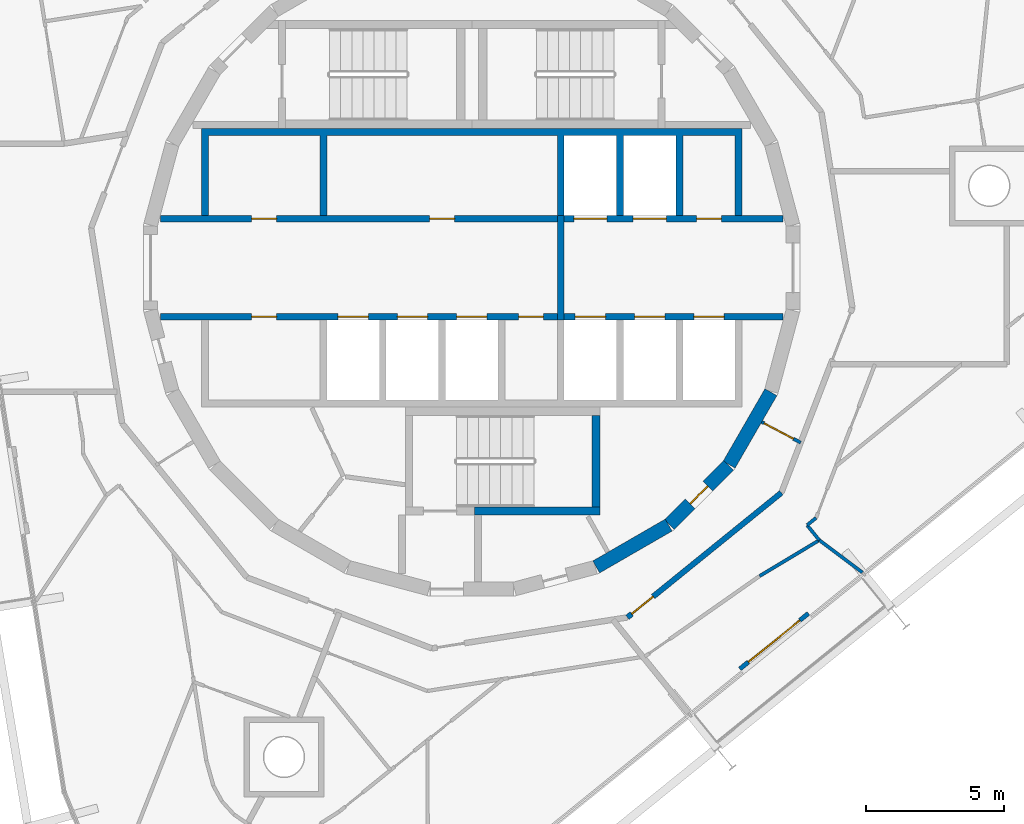
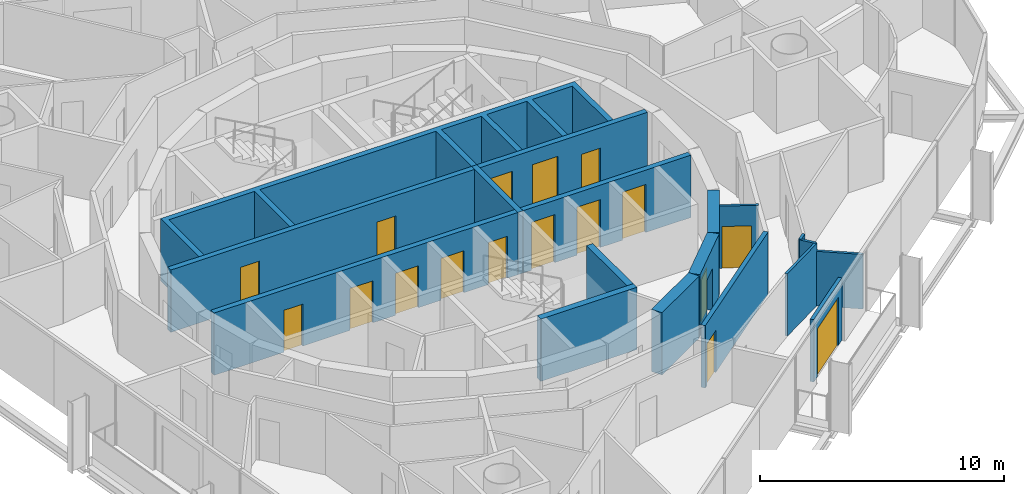
# One storey, part 13 of 18: 18 walls, 17 doors, 17 openings.
"""IFC4 building model written with IfcOpenShell, lengths in metres."""

from ifc_helpers import new_model, si_unit, direction, frame, frame_2d, origin, place, context, subcontext, project, spatial, polyline, rectangle, outline, extrude, material, layer, layer_set, type_object, element, fill, save


model = new_model("IFC4")

# Units and contexts
model_context = context("Model", 3, precision=1e-05, world=origin(), true_north=direction((0.0, 1.0)))
body_context = subcontext(model_context, "Body", "Model", "MODEL_VIEW")
ifc_project = project(units=[si_unit("LENGTHUNIT", "METRE"), si_unit("AREAUNIT", "SQUARE_METRE"), si_unit("VOLUMEUNIT", "CUBIC_METRE"), si_unit("PLANEANGLEUNIT", "RADIAN"), si_unit("MASSUNIT", "GRAM", prefix="KILO")], contexts=[model_context])

# Site, building, storey
site_placement = place(None, origin())
site = spatial("IfcSite", under=ifc_project, at=site_placement, CompositionType="ELEMENT")
building_placement = place(site_placement, origin())
building = spatial("IfcBuilding", under=site, at=building_placement, Name="Spindle Arch Residences", CompositionType="ELEMENT")
storey_placement = place(building_placement, frame((0.0, 0.0, 273.89990234375)))
storey = spatial("IfcBuildingStorey", under=building, at=storey_placement, Name="L70", CompositionType="ELEMENT", Elevation=273.89990234375)

# Wall
ifc_material_1 = material(Name="Concrete C50/60", Category="concrete")
ifc_layer_1 = layer(ifc_material_1, 0.5)
ifc_layer_set_1 = layer_set([ifc_layer_1], Name="Core outline wall 500")
wall_type_1 = type_object("IfcWallType", Name="Core outline wall 500", PredefinedType="SHEAR", material=ifc_layer_set_1)
wall_1_placement = place(storey_placement, frame((4.510498046875, -10.84521484375, 0.0), z_axis=(0.0, 0.0, 1.0), x_axis=(0.865975092491, 0.500087131594, 0.0)))
element("IfcWall", 1, at=wall_1_placement, inside=storey, type_object=wall_type_1, Name="Core outline wall 2", PredefinedType="SHEAR", context=body_context, shape_type="SweptSolid", body=[
    extrude(rectangle(XDim=3.03271484375, YDim=0.5, at=frame_2d((1.516357421875, 0.0))), origin(), (0.0, 0.0, 1.0), 3.1201171875),
])

# Wall, opening, door
wall_2_placement = place(storey_placement, frame((7.163818359375, -9.30810546875, 0.0), z_axis=(0.0, 0.0, 1.0), x_axis=(0.707106781187, 0.707106781187, 0.0)))
wall_2 = element("IfcWall", 2, at=wall_2_placement, inside=storey, type_object=wall_type_1, Name="Core outline wall 3", PredefinedType="SHEAR", context=body_context, shape_type="SweptSolid", body=[
    extrude(rectangle(XDim=3.032470703125, YDim=0.5, at=frame_2d((1.51611328125, 0.0))), origin(), (0.0, 0.0, 1.0), 3.1201171875),
])
opening_1_placement = place(wall_2_placement, frame((1.06640625, 0.0, 0.0)))
opening_1 = element("IfcOpeningElement", 3, at=opening_1_placement, cuts=wall_2, Name="Opening R7B1-WD08", PredefinedType="OPENING", context=body_context, shape_type="SweptSolid", body=[
    extrude(rectangle(XDim=0.89990234375, YDim=2.10009765625, at=frame_2d((0.449951171875, 1.050048828125))), frame((0.0, 0.260009765625, 0.0), z_axis=(0.0, -1.0, 0.0), x_axis=(1.0, 0.0, 0.0)), (0.0, 0.0, 1.0), 0.52001953125),
])
ifc_material_2 = material(Name="Steel, fire-resisting door", Category="steel")
door_type_1 = type_object("IfcDoorType", Name="Service room door 900x2100", OperationType="SINGLE_SWING_LEFT", PredefinedType="DOOR", material=ifc_material_2)
door_1_placement = place(opening_1_placement, origin())
door_1 = element("IfcDoor", 4, at=door_1_placement, inside=storey, type_object=door_type_1, Name="Service room door R7B1-WD08", OperationType="SINGLE_SWING_RIGHT", OverallHeight=2.10009765625, OverallWidth=0.89990234375, PredefinedType="DOOR", context=body_context, shape_type="SweptSolid", body=[
    extrude(rectangle(XDim=0.89990234375, YDim=2.10009765625, at=frame_2d((0.449951171875, 1.050048828125))), frame((0.0, 0.02490234375, 0.0), z_axis=(0.0, -1.0, 0.0), x_axis=(1.0, 0.0, 0.0)), (0.0, 0.0, 1.0), 0.050048828125),
])
fill(opening_1, door_1)

# Wall
wall_3_placement = place(storey_placement, frame((9.32861328125, -7.13671875, 0.0), z_axis=(0.0, 0.0, 1.0), x_axis=(0.500087131594, 0.865975092491, 0.0)))
element("IfcWall", 5, at=wall_3_placement, inside=storey, type_object=wall_type_1, Name="Core outline wall 4", PredefinedType="SHEAR", context=body_context, shape_type="SweptSolid", body=[
    extrude(rectangle(XDim=3.03271484375, YDim=0.5, at=frame_2d((1.516357421875, 0.0))), origin(), (0.0, 0.0, 1.0), 3.1201171875),
])

# Wall, opening, door
ifc_material_3 = material(Name="Plasterboard on steel studs", Category="steel")
ifc_layer_2 = layer(ifc_material_3, 0.1201171875)
ifc_layer_set_2 = layer_set([ifc_layer_2], Name="Corridor division wall 120")
wall_type_2 = type_object("IfcWallType", Name="Corridor division wall 120", PredefinedType="PARTITIONING", material=ifc_layer_set_2)
wall_4_placement = place(storey_placement, frame((10.510986328125, -5.5888671875, 0.0), z_axis=(0.0, 0.0, 1.0), x_axis=(0.882983002821, -0.469404960273, 0.0)))
wall_4 = element("IfcWall", 6, at=wall_4_placement, inside=storey, type_object=wall_type_2, Name="Corridor division wall R7B1-W002", PredefinedType="PARTITIONING", context=body_context, shape_type="SweptSolid", body=[
    extrude(rectangle(XDim=1.59619140625, YDim=0.1201171875, at=frame_2d((0.798095703125, 0.0))), origin(), (0.0, 0.0, 1.0), 3.1201171875),
])
opening_2_placement = place(wall_4_placement, frame((0.10009765625, 0.0, 0.0)))
opening_2 = element("IfcOpeningElement", 7, at=opening_2_placement, cuts=wall_4, Name="Opening R7B1-CD02", PredefinedType="OPENING", context=body_context, shape_type="SweptSolid", body=[
    extrude(rectangle(XDim=1.199951171875, YDim=2.10009765625, at=frame_2d((0.60009765625, 1.050048828125))), frame((0.0, 0.070068359375, 0.0), z_axis=(0.0, -1.0, 0.0), x_axis=(1.0, 0.0, 0.0)), (0.0, 0.0, 1.0), 0.14013671875),
])
ifc_material_4 = material(Name="Steel, fire-resisting door", Category="steel")
door_type_2 = type_object("IfcDoorType", Name="Corridor division door 1200x2100", OperationType="NOTDEFINED", PredefinedType="DOOR", material=ifc_material_4)
door_2_placement = place(opening_2_placement, origin())
door_2 = element("IfcDoor", 8, at=door_2_placement, inside=storey, type_object=door_type_2, Name="Corridor division door R7B1-CD02", OperationType="DOUBLE_DOOR_SINGLE_SWING", OverallHeight=2.10009765625, OverallWidth=1.199951171875, PredefinedType="DOOR", context=body_context, shape_type="SweptSolid", body=[
    extrude(rectangle(XDim=1.199951171875, YDim=2.10009765625, at=frame_2d((0.60009765625, 1.050048828125))), frame((0.0, 0.02490234375, 0.0), z_axis=(0.0, -1.0, 0.0), x_axis=(1.0, 0.0, 0.0)), (0.0, 0.0, 1.0), 0.050048828125),
])
fill(opening_2, door_2)

ifc_material_5 = material(Name="Calcium silicate block, plastered")
ifc_layer_3 = layer(ifc_material_5, 0.199951171875)
ifc_layer_set_3 = layer_set([ifc_layer_3], Name="Corridor wall 200")
wall_type_3 = type_object("IfcWallType", Name="Corridor wall 200", PredefinedType="STANDARD", material=ifc_layer_set_3)
wall_5_placement = place(storey_placement, frame((5.642578125, -12.67333984375, 0.0), z_axis=(0.0, 0.0, 1.0), x_axis=(0.777160148113, 0.629302871585, 0.0)))
wall_5 = element("IfcWall", 9, at=wall_5_placement, inside=storey, type_object=wall_type_3, Name="Corridor wall R7B1-W015", PredefinedType="STANDARD", context=body_context, shape_type="SweptSolid", body=[
    extrude(rectangle(XDim=7.180908203125, YDim=0.199951171875, at=frame_2d((3.59033203125, 0.0))), origin(), (0.0, 0.0, 1.0), 3.1201171875),
])
opening_3_placement = place(wall_5_placement, frame((0.199951171875, 0.0, 0.0)))
opening_3 = element("IfcOpeningElement", 10, at=opening_3_placement, cuts=wall_5, Name="Opening R7B1-FD06", PredefinedType="OPENING", context=body_context, shape_type="SweptSolid", body=[
    extrude(rectangle(XDim=1.0, YDim=2.10009765625, at=frame_2d((0.5, 1.050048828125))), frame((0.0, 0.10986328125, 0.0), z_axis=(0.0, -1.0, 0.0), x_axis=(1.0, 0.0, 0.0)), (0.0, 0.0, 1.0), 0.219970703125),
])
ifc_material_6 = material(Name="Timber, fire-resisting door set", Category="wood")
door_type_3 = type_object("IfcDoorType", Name="Flat entrance door 1000x2100", OperationType="NOTDEFINED", PredefinedType="DOOR", material=ifc_material_6)
door_3_placement = place(opening_3_placement, origin())
door_3 = element("IfcDoor", 11, at=door_3_placement, inside=storey, type_object=door_type_3, Name="Flat entrance door R7B1-FD06", OperationType="SINGLE_SWING_LEFT", OverallHeight=2.10009765625, OverallWidth=1.0, PredefinedType="DOOR", context=body_context, shape_type="SweptSolid", body=[
    extrude(rectangle(XDim=1.0, YDim=2.10009765625, at=frame_2d((0.5, 1.050048828125))), frame((0.0, 0.02490234375, 0.0), z_axis=(0.0, -1.0, 0.0), x_axis=(1.0, 0.0, 0.0)), (0.0, 0.0, 1.0), 0.050048828125),
])
fill(opening_3, door_3)

# Wall, openings, doors
ifc_material_7 = material(Name="Concrete C40/50", Category="concrete")
ifc_layer_4 = layer(ifc_material_7, 0.25)
ifc_layer_set_4 = layer_set([ifc_layer_4], Name="Fire-lift lobby wall 250")
wall_type_4 = type_object("IfcWallType", Name="Fire-lift lobby wall 250", PredefinedType="SHEAR", material=ifc_layer_set_4)
wall_6_placement = place(storey_placement, frame((3.35009765625, 1.77490234375, 0.0), z_axis=(0.0, 0.0, 1.0), x_axis=(1.0, 0.0, 0.0)))
wall_6 = element("IfcWall", 12, at=wall_6_placement, inside=storey, type_object=wall_type_4, Name="Lift shaft front wall NE", PredefinedType="SHEAR", context=body_context, shape_type="SweptSolid", body=[
    extrude(rectangle(XDim=7.929931640625, YDim=0.25, at=frame_2d((3.96484375, 0.0))), origin(), (0.0, 0.0, 1.0), 3.1201171875),
])
opening_4_placement = place(wall_6_placement, frame((0.35009765625, 0.0, 0.0)))
opening_4 = element("IfcOpeningElement", 13, at=opening_4_placement, cuts=wall_6, Name="Opening R7B1-SLD01", PredefinedType="OPENING", context=body_context, shape_type="SweptSolid", body=[
    extrude(rectangle(XDim=1.199951171875, YDim=2.39990234375, at=frame_2d((0.60009765625, 1.199951171875))), frame((0.0, 0.135009765625, 0.0), z_axis=(0.0, -1.0, 0.0), x_axis=(1.0, 0.0, 0.0)), (0.0, 0.0, 1.0), 0.27001953125),
])
opening_5_placement = place(wall_6_placement, frame((2.5, 0.0, 0.0)))
opening_5 = element("IfcOpeningElement", 14, at=opening_5_placement, cuts=wall_6, Name="Opening R7B1-SLD02", PredefinedType="OPENING", context=body_context, shape_type="SweptSolid", body=[
    extrude(rectangle(XDim=1.199951171875, YDim=2.39990234375, at=frame_2d((0.60009765625, 1.199951171875))), frame((0.0, 0.135009765625, 0.0), z_axis=(0.0, -1.0, 0.0), x_axis=(1.0, 0.0, 0.0)), (0.0, 0.0, 1.0), 0.27001953125),
])
opening_6_placement = place(wall_6_placement, frame((4.800048828125, 0.0, 0.0)))
opening_6 = element("IfcOpeningElement", 15, at=opening_6_placement, cuts=wall_6, Name="Opening R7B1-WD03", PredefinedType="OPENING", context=body_context, shape_type="SweptSolid", body=[
    extrude(rectangle(XDim=0.89990234375, YDim=2.10009765625, at=frame_2d((0.449951171875, 1.050048828125))), frame((0.0, 0.135009765625, 0.0), z_axis=(0.0, -1.0, 0.0), x_axis=(1.0, 0.0, 0.0)), (0.0, 0.0, 1.0), 0.27001953125),
])
ifc_material_8 = material(Name="Steel, fire-resisting landing door", Category="steel")
door_type_4 = type_object("IfcDoorType", Name="Service lift landing door 1200x2400", OperationType="DOUBLE_DOOR_SLIDING", PredefinedType="DOOR", material=ifc_material_8)
door_4_placement = place(opening_4_placement, origin())
door_4 = element("IfcDoor", 16, at=door_4_placement, inside=storey, type_object=door_type_4, Name="Service lift landing door R7B1-SLD01", OperationType="DOUBLE_DOOR_SLIDING", OverallHeight=2.39990234375, OverallWidth=1.199951171875, PredefinedType="DOOR", context=body_context, shape_type="SweptSolid", body=[
    extrude(rectangle(XDim=1.199951171875, YDim=2.39990234375, at=frame_2d((0.60009765625, 1.199951171875))), frame((0.0, 0.02490234375, 0.0), z_axis=(0.0, -1.0, 0.0), x_axis=(1.0, 0.0, 0.0)), (0.0, 0.0, 1.0), 0.050048828125),
])
fill(opening_4, door_4)
door_5_placement = place(opening_5_placement, origin())
door_5 = element("IfcDoor", 17, at=door_5_placement, inside=storey, type_object=door_type_4, Name="Service lift landing door R7B1-SLD02", OperationType="DOUBLE_DOOR_SLIDING", OverallHeight=2.39990234375, OverallWidth=1.199951171875, PredefinedType="DOOR", context=body_context, shape_type="SweptSolid", body=[
    extrude(rectangle(XDim=1.199951171875, YDim=2.39990234375, at=frame_2d((0.60009765625, 1.199951171875))), frame((0.0, 0.02490234375, 0.0), z_axis=(0.0, -1.0, 0.0), x_axis=(1.0, 0.0, 0.0)), (0.0, 0.0, 1.0), 0.050048828125),
])
fill(opening_5, door_5)
door_6_placement = place(opening_6_placement, origin())
door_6 = element("IfcDoor", 18, at=door_6_placement, inside=storey, type_object=door_type_1, Name="Service room door R7B1-WD03", OperationType="SINGLE_SWING_LEFT", OverallHeight=2.10009765625, OverallWidth=0.89990234375, PredefinedType="DOOR", context=body_context, shape_type="SweptSolid", body=[
    extrude(rectangle(XDim=0.89990234375, YDim=2.10009765625, at=frame_2d((0.449951171875, 1.050048828125))), frame((0.0, 0.02490234375, 0.0), z_axis=(0.0, -1.0, 0.0), x_axis=(1.0, 0.0, 0.0)), (0.0, 0.0, 1.0), 0.050048828125),
])
fill(opening_6, door_6)

# Wall
wall_7_placement = place(storey_placement, frame((3.22509765625, -1.89990234375, 0.0), z_axis=(0.0, 0.0, 1.0), x_axis=(0.0, 1.0, 0.0)))
element("IfcWall", 19, at=wall_7_placement, inside=storey, type_object=wall_type_4, Name="Fire-fighting lobby partition", PredefinedType="SHEAR", context=body_context, shape_type="SweptSolid", body=[
    extrude(rectangle(XDim=3.7998046875, YDim=0.25, at=frame_2d((1.89990234375, 0.0))), origin(), (0.0, 0.0, 1.0), 3.1201171875),
])

# Wall, openings, doors
ifc_material_9 = material(Name="Concrete C50/60", Category="concrete")
ifc_layer_5 = layer(ifc_material_9, 0.25)
ifc_layer_set_5 = layer_set([ifc_layer_5], Name="Fire-lift shaft wall 250")
wall_type_5 = type_object("IfcWallType", Name="Fire-lift shaft wall 250", PredefinedType="SHEAR", material=ifc_layer_set_5)
wall_8_placement = place(storey_placement, frame((3.35009765625, -1.77490234375, 0.0), z_axis=(0.0, 0.0, 1.0), x_axis=(1.0, 0.0, 0.0)))
wall_8 = element("IfcWall", 20, at=wall_8_placement, inside=storey, type_object=wall_type_5, Name="Lift shaft front wall SE", PredefinedType="SHEAR", context=body_context, shape_type="SweptSolid", body=[
    extrude(rectangle(XDim=7.929931640625, YDim=0.25, at=frame_2d((3.96484375, 0.0))), origin(), (0.0, 0.0, 1.0), 3.1201171875),
])
opening_7_placement = place(wall_8_placement, frame((0.39990234375, 0.0, 0.0)))
opening_7 = element("IfcOpeningElement", 21, at=opening_7_placement, cuts=wall_8, Name="Opening R7B1-FLD01", PredefinedType="OPENING", context=body_context, shape_type="SweptSolid", body=[
    extrude(rectangle(XDim=1.10009765625, YDim=2.39990234375, at=frame_2d((0.550048828125, 1.199951171875))), frame((0.0, 0.135009765625, 0.0), z_axis=(0.0, -1.0, 0.0), x_axis=(1.0, 0.0, 0.0)), (0.0, 0.0, 1.0), 0.27001953125),
])
opening_8_placement = place(wall_8_placement, frame((2.550048828125, 0.0, 0.0)))
opening_8 = element("IfcOpeningElement", 22, at=opening_8_placement, cuts=wall_8, Name="Opening R7B1-FLD02", PredefinedType="OPENING", context=body_context, shape_type="SweptSolid", body=[
    extrude(rectangle(XDim=1.10009765625, YDim=2.39990234375, at=frame_2d((0.550048828125, 1.199951171875))), frame((0.0, 0.135009765625, 0.0), z_axis=(0.0, -1.0, 0.0), x_axis=(1.0, 0.0, 0.0)), (0.0, 0.0, 1.0), 0.27001953125),
])
opening_9_placement = place(wall_8_placement, frame((4.699951171875, 0.0, 0.0)))
opening_9 = element("IfcOpeningElement", 23, at=opening_9_placement, cuts=wall_8, Name="Opening R7B1-FLD03", PredefinedType="OPENING", context=body_context, shape_type="SweptSolid", body=[
    extrude(rectangle(XDim=1.10009765625, YDim=2.39990234375, at=frame_2d((0.550048828125, 1.199951171875))), frame((0.0, 0.135009765625, 0.0), z_axis=(0.0, -1.0, 0.0), x_axis=(1.0, 0.0, 0.0)), (0.0, 0.0, 1.0), 0.27001953125),
])
ifc_material_10 = material(Name="Steel, fire-resisting landing door", Category="steel")
door_type_5 = type_object("IfcDoorType", Name="Fire-fighting lift landing door 1100x2400", OperationType="DOUBLE_DOOR_SLIDING", PredefinedType="DOOR", material=ifc_material_10)
door_7_placement = place(opening_7_placement, origin())
door_7 = element("IfcDoor", 24, at=door_7_placement, inside=storey, type_object=door_type_5, Name="Fire-fighting lift landing door R7B1-FLD01", OperationType="DOUBLE_DOOR_SLIDING", OverallHeight=2.39990234375, OverallWidth=1.10009765625, PredefinedType="DOOR", context=body_context, shape_type="SweptSolid", body=[
    extrude(rectangle(XDim=1.10009765625, YDim=2.39990234375, at=frame_2d((0.550048828125, 1.199951171875))), frame((0.0, 0.02490234375, 0.0), z_axis=(0.0, -1.0, 0.0), x_axis=(1.0, 0.0, 0.0)), (0.0, 0.0, 1.0), 0.050048828125),
])
fill(opening_7, door_7)
door_8_placement = place(opening_8_placement, origin())
door_8 = element("IfcDoor", 25, at=door_8_placement, inside=storey, type_object=door_type_5, Name="Fire-fighting lift landing door R7B1-FLD02", OperationType="DOUBLE_DOOR_SLIDING", OverallHeight=2.39990234375, OverallWidth=1.10009765625, PredefinedType="DOOR", context=body_context, shape_type="SweptSolid", body=[
    extrude(rectangle(XDim=1.10009765625, YDim=2.39990234375, at=frame_2d((0.550048828125, 1.199951171875))), frame((0.0, 0.02490234375, 0.0), z_axis=(0.0, -1.0, 0.0), x_axis=(1.0, 0.0, 0.0)), (0.0, 0.0, 1.0), 0.050048828125),
])
fill(opening_8, door_8)
door_9_placement = place(opening_9_placement, origin())
door_9 = element("IfcDoor", 26, at=door_9_placement, inside=storey, type_object=door_type_5, Name="Fire-fighting lift landing door R7B1-FLD03", OperationType="DOUBLE_DOOR_SLIDING", OverallHeight=2.39990234375, OverallWidth=1.10009765625, PredefinedType="DOOR", context=body_context, shape_type="SweptSolid", body=[
    extrude(rectangle(XDim=1.10009765625, YDim=2.39990234375, at=frame_2d((0.550048828125, 1.199951171875))), frame((0.0, 0.02490234375, 0.0), z_axis=(0.0, -1.0, 0.0), x_axis=(1.0, 0.0, 0.0)), (0.0, 0.0, 1.0), 0.050048828125),
])
fill(opening_9, door_9)

# Walls
ifc_material_11 = material(Name="Plasterboard on steel studs", Category="steel")
ifc_layer_6 = layer(ifc_material_11, 0.1201171875)
ifc_layer_set_6 = layer_set([ifc_layer_6], Name="Flat partition 120")
wall_type_6 = type_object("IfcWallType", Name="Flat partition 120", PredefinedType="PARTITIONING", material=ifc_layer_set_6)
wall_9_placement = place(storey_placement, frame((10.43359375, -11.17529296875, 0.0), z_axis=(0.0, 0.0, 1.0), x_axis=(0.857117202926, 0.515121442427, 0.0)))
element("IfcWall", 27, at=wall_9_placement, inside=storey, type_object=wall_type_6, Name="Flat partition R7B1-W093", PredefinedType="PARTITIONING", context=body_context, shape_type="SweptSolid", body=[
    extrude(rectangle(XDim=2.524169921875, YDim=0.1201171875, at=frame_2d((1.26220703125, 0.0))), origin(), (0.0, 0.0, 1.0), 3.1201171875),
])
wall_10_placement = place(storey_placement, frame((12.59716796875, -9.875, 0.0), z_axis=(0.0, 0.0, 1.0), x_axis=(-0.629138198612, 0.77729346263, 0.0)))
element("IfcWall", 28, at=wall_10_placement, inside=storey, type_object=wall_type_6, Name="Flat partition R7B1-W094", PredefinedType="PARTITIONING", context=body_context, shape_type="SweptSolid", body=[
    extrude(rectangle(XDim=0.701904296875, YDim=0.1201171875, at=frame_2d((0.35107421875, 0.0))), origin(), (0.0, 0.0, 1.0), 3.1201171875),
])
wall_11_placement = place(storey_placement, frame((12.155517578125, -9.329345703125, 0.0), z_axis=(0.0, 0.0, 1.0), x_axis=(0.777026645941, 0.629467704888, 0.0)))
element("IfcWall", 29, at=wall_11_placement, inside=storey, type_object=wall_type_6, Name="Flat partition R7B1-W095", PredefinedType="PARTITIONING", context=body_context, shape_type="SweptSolid", body=[
    extrude(rectangle(XDim=0.4169921875, YDim=0.1201171875, at=frame_2d((0.20849609375, 0.0))), origin(), (0.0, 0.0, 1.0), 3.1201171875),
])
ifc_material_12 = material(Name="Plasterboard on steel studs", Category="steel")
ifc_layer_7 = layer(ifc_material_12, 0.1201171875)
ifc_layer_set_7 = layer_set([ifc_layer_7], Name="Flat partition 120 under beam 2730")
wall_type_7 = type_object("IfcWallType", Name="Flat partition 120 under beam 2730", PredefinedType="PARTITIONING", material=ifc_layer_set_7)
wall_12_placement = place(storey_placement, frame((14.161376953125, -11.04638671875, 0.0), z_axis=(0.0, 0.0, 1.0), x_axis=(-0.800434550749, 0.599420161463, 0.0)))
element("IfcWall", 30, at=wall_12_placement, inside=storey, type_object=wall_type_7, Name="Flat partition R7B1-W104", PredefinedType="PARTITIONING", context=body_context, shape_type="SweptSolid", body=[
    extrude(rectangle(XDim=1.9541015625, YDim=0.1201171875, at=frame_2d((0.97705078125, 0.0))), origin(), (0.0, 0.0, 1.0), 2.72998046875),
])

# Wall, opening, door
ifc_material_13 = material(Name="Non-combustible mineral wool insulated aluminium faced external wall (K0)", Category="aluminium")
ifc_layer_8 = layer(ifc_material_13, 0.159912109375)
ifc_layer_set_8 = layer_set([ifc_layer_8], Name="Insulated external wall panel 160")
wall_type_8 = type_object("IfcWallType", Name="Insulated external wall panel 160", PredefinedType="STANDARD", material=ifc_layer_set_8)
wall_13_placement = place(storey_placement, frame((9.71728515625, -14.542236328125, 0.0), z_axis=(0.0, 0.0, 1.0), x_axis=(0.777125818, 0.629345265333, 0.0)))
wall_13 = element("IfcWall", 31, at=wall_13_placement, inside=storey, type_object=wall_type_8, Name="External wall L70 bay 20", PredefinedType="STANDARD", context=body_context, shape_type="SweptSolid", body=[
    extrude(rectangle(XDim=3.199951171875, YDim=0.159912109375, at=frame_2d((1.60009765625, 0.0))), origin(), (0.0, 0.0, 1.0), 3.1201171875),
])
opening_10_placement = place(wall_13_placement, frame((0.39990234375, 0.0, 0.0)))
opening_10 = element("IfcOpeningElement", 32, at=opening_10_placement, cuts=wall_13, Name="Opening BD20", PredefinedType="OPENING", context=body_context, shape_type="SweptSolid", body=[
    extrude(rectangle(XDim=2.39990234375, YDim=2.39990234375, at=frame_2d((1.199951171875, 1.199951171875))), frame((0.0, 0.08984375, 0.0), z_axis=(0.0, -1.0, 0.0), x_axis=(1.0, 0.0, 0.0)), (0.0, 0.0, 1.0), 0.179931640625),
])
ifc_material_14 = material(Name="Bronze aluminium frame, tinted double glazing", Category="aluminium")
door_type_6 = type_object("IfcDoorType", Name="Sliding glazed balcony door 2400x2400", OperationType="DOUBLE_DOOR_SLIDING", PredefinedType="DOOR", material=ifc_material_14)
door_10_placement = place(opening_10_placement, origin())
door_10 = element("IfcDoor", 33, at=door_10_placement, inside=storey, type_object=door_type_6, Name="Balcony door BD20", OperationType="DOUBLE_DOOR_SLIDING", OverallHeight=2.39990234375, OverallWidth=2.39990234375, PredefinedType="DOOR", context=body_context, shape_type="SweptSolid", body=[
    extrude(rectangle(XDim=2.39990234375, YDim=2.39990234375, at=frame_2d((1.199951171875, 1.199951171875))), frame((0.0, 0.02490234375, 0.0), z_axis=(0.0, -1.0, 0.0), x_axis=(1.0, 0.0, 0.0)), (0.0, 0.0, 1.0), 0.050048828125),
])
fill(opening_10, door_10)

# Wall, openings, doors
ifc_material_15 = material(Name="Concrete C50/60", Category="concrete")
ifc_layer_9 = layer(ifc_material_15, 0.25)
ifc_layer_set_9 = layer_set([ifc_layer_9], Name="Lift shaft wall 250")
wall_type_9 = type_object("IfcWallType", Name="Lift shaft wall 250", PredefinedType="SHEAR", material=ifc_layer_set_9)
wall_14_placement = place(storey_placement, frame((-11.280029296875, 1.77490234375, 0.0), z_axis=(0.0, 0.0, 1.0), x_axis=(1.0, 0.0, 0.0)))
wall_14 = element("IfcWall", 34, at=wall_14_placement, inside=storey, type_object=wall_type_9, Name="Lift shaft front wall NW", PredefinedType="SHEAR", context=body_context, shape_type="SweptSolid", body=[
    extrude(rectangle(XDim=14.380126953125, YDim=0.25, at=frame_2d((7.18994140625, 0.0))), origin(), (0.0, 0.0, 1.0), 3.1201171875),
])
opening_11_placement = place(wall_14_placement, frame((3.304931640625, 0.0, 0.0)))
opening_11 = element("IfcOpeningElement", 35, at=opening_11_placement, cuts=wall_14, Name="Opening R7B1-WD01", PredefinedType="OPENING", context=body_context, shape_type="SweptSolid", body=[
    extrude(rectangle(XDim=0.89990234375, YDim=2.10009765625, at=frame_2d((0.449951171875, 1.050048828125))), frame((0.0, 0.135009765625, 0.0), z_axis=(0.0, -1.0, 0.0), x_axis=(1.0, 0.0, 0.0)), (0.0, 0.0, 1.0), 0.27001953125),
])
opening_12_placement = place(wall_14_placement, frame((9.7548828125, 0.0, 0.0)))
opening_12 = element("IfcOpeningElement", 36, at=opening_12_placement, cuts=wall_14, Name="Opening R7B1-WD02", PredefinedType="OPENING", context=body_context, shape_type="SweptSolid", body=[
    extrude(rectangle(XDim=0.89990234375, YDim=2.10009765625, at=frame_2d((0.449951171875, 1.050048828125))), frame((0.0, 0.135009765625, 0.0), z_axis=(0.0, -1.0, 0.0), x_axis=(1.0, 0.0, 0.0)), (0.0, 0.0, 1.0), 0.27001953125),
])
door_11_placement = place(opening_11_placement, origin())
door_11 = element("IfcDoor", 37, at=door_11_placement, inside=storey, type_object=door_type_1, Name="Service room door R7B1-WD01", OperationType="SINGLE_SWING_LEFT", OverallHeight=2.10009765625, OverallWidth=0.89990234375, PredefinedType="DOOR", context=body_context, shape_type="SweptSolid", body=[
    extrude(rectangle(XDim=0.89990234375, YDim=2.10009765625, at=frame_2d((0.449951171875, 1.050048828125))), frame((0.0, 0.02490234375, 0.0), z_axis=(0.0, -1.0, 0.0), x_axis=(1.0, 0.0, 0.0)), (0.0, 0.0, 1.0), 0.050048828125),
])
fill(opening_11, door_11)
door_12_placement = place(opening_12_placement, origin())
door_12 = element("IfcDoor", 38, at=door_12_placement, inside=storey, type_object=door_type_1, Name="Service room door R7B1-WD02", OperationType="SINGLE_SWING_RIGHT", OverallHeight=2.10009765625, OverallWidth=0.89990234375, PredefinedType="DOOR", context=body_context, shape_type="SweptSolid", body=[
    extrude(rectangle(XDim=0.89990234375, YDim=2.10009765625, at=frame_2d((0.449951171875, 1.050048828125))), frame((0.0, 0.02490234375, 0.0), z_axis=(0.0, -1.0, 0.0), x_axis=(1.0, 0.0, 0.0)), (0.0, 0.0, 1.0), 0.050048828125),
])
fill(opening_12, door_12)

wall_15_placement = place(storey_placement, frame((-11.280029296875, -1.77490234375, 0.0), z_axis=(0.0, 0.0, 1.0), x_axis=(1.0, 0.0, 0.0)))
wall_15 = element("IfcWall", 39, at=wall_15_placement, inside=storey, type_object=wall_type_9, Name="Lift shaft front wall SW", PredefinedType="SHEAR", context=body_context, shape_type="SweptSolid", body=[
    extrude(rectangle(XDim=14.380126953125, YDim=0.25, at=frame_2d((7.18994140625, 0.0))), origin(), (0.0, 0.0, 1.0), 3.1201171875),
])
opening_13_placement = place(wall_15_placement, frame((6.429931640625, 0.0, 0.0)))
opening_13 = element("IfcOpeningElement", 40, at=opening_13_placement, cuts=wall_15, Name="Opening R7B1-LD01", PredefinedType="OPENING", context=body_context, shape_type="SweptSolid", body=[
    extrude(rectangle(XDim=1.10009765625, YDim=2.10009765625, at=frame_2d((0.550048828125, 1.050048828125))), frame((0.0, 0.135009765625, 0.0), z_axis=(0.0, -1.0, 0.0), x_axis=(1.0, 0.0, 0.0)), (0.0, 0.0, 1.0), 0.27001953125),
])
opening_14_placement = place(wall_15_placement, frame((8.580078125, 0.0, 0.0)))
opening_14 = element("IfcOpeningElement", 41, at=opening_14_placement, cuts=wall_15, Name="Opening R7B1-LD02", PredefinedType="OPENING", context=body_context, shape_type="SweptSolid", body=[
    extrude(rectangle(XDim=1.10009765625, YDim=2.10009765625, at=frame_2d((0.550048828125, 1.050048828125))), frame((0.0, 0.135009765625, 0.0), z_axis=(0.0, -1.0, 0.0), x_axis=(1.0, 0.0, 0.0)), (0.0, 0.0, 1.0), 0.27001953125),
])
opening_15_placement = place(wall_15_placement, frame((10.72998046875, 0.0, 0.0)))
opening_15 = element("IfcOpeningElement", 42, at=opening_15_placement, cuts=wall_15, Name="Opening R7B1-LD03", PredefinedType="OPENING", context=body_context, shape_type="SweptSolid", body=[
    extrude(rectangle(XDim=1.10009765625, YDim=2.10009765625, at=frame_2d((0.550048828125, 1.050048828125))), frame((0.0, 0.135009765625, 0.0), z_axis=(0.0, -1.0, 0.0), x_axis=(1.0, 0.0, 0.0)), (0.0, 0.0, 1.0), 0.27001953125),
])
opening_16_placement = place(wall_15_placement, frame((3.304931640625, 0.0, 0.0)))
opening_16 = element("IfcOpeningElement", 43, at=opening_16_placement, cuts=wall_15, Name="Opening R7B1-WD04", PredefinedType="OPENING", context=body_context, shape_type="SweptSolid", body=[
    extrude(rectangle(XDim=0.89990234375, YDim=2.10009765625, at=frame_2d((0.449951171875, 1.050048828125))), frame((0.0, 0.135009765625, 0.0), z_axis=(0.0, -1.0, 0.0), x_axis=(1.0, 0.0, 0.0)), (0.0, 0.0, 1.0), 0.27001953125),
])
opening_17_placement = place(wall_15_placement, frame((12.97998046875, 0.0, 0.0)))
opening_17 = element("IfcOpeningElement", 44, at=opening_17_placement, cuts=wall_15, Name="Opening R7B1-WD05", PredefinedType="OPENING", context=body_context, shape_type="SweptSolid", body=[
    extrude(rectangle(XDim=0.89990234375, YDim=2.10009765625, at=frame_2d((0.449951171875, 1.050048828125))), frame((0.0, 0.135009765625, 0.0), z_axis=(0.0, -1.0, 0.0), x_axis=(1.0, 0.0, 0.0)), (0.0, 0.0, 1.0), 0.27001953125),
])
ifc_material_16 = material(Name="Steel, fire-resisting landing door", Category="steel")
door_type_7 = type_object("IfcDoorType", Name="Lift landing door 1100x2100", OperationType="DOUBLE_DOOR_SLIDING", PredefinedType="DOOR", material=ifc_material_16)
door_13_placement = place(opening_13_placement, origin())
door_13 = element("IfcDoor", 45, at=door_13_placement, inside=storey, type_object=door_type_7, Name="Lift landing door R7B1-LD01", OperationType="DOUBLE_DOOR_SLIDING", OverallHeight=2.10009765625, OverallWidth=1.10009765625, PredefinedType="DOOR", context=body_context, shape_type="SweptSolid", body=[
    extrude(rectangle(XDim=1.10009765625, YDim=2.10009765625, at=frame_2d((0.550048828125, 1.050048828125))), frame((0.0, 0.02490234375, 0.0), z_axis=(0.0, -1.0, 0.0), x_axis=(1.0, 0.0, 0.0)), (0.0, 0.0, 1.0), 0.050048828125),
])
fill(opening_13, door_13)
door_14_placement = place(opening_14_placement, origin())
door_14 = element("IfcDoor", 46, at=door_14_placement, inside=storey, type_object=door_type_7, Name="Lift landing door R7B1-LD02", OperationType="DOUBLE_DOOR_SLIDING", OverallHeight=2.10009765625, OverallWidth=1.10009765625, PredefinedType="DOOR", context=body_context, shape_type="SweptSolid", body=[
    extrude(rectangle(XDim=1.10009765625, YDim=2.10009765625, at=frame_2d((0.550048828125, 1.050048828125))), frame((0.0, 0.02490234375, 0.0), z_axis=(0.0, -1.0, 0.0), x_axis=(1.0, 0.0, 0.0)), (0.0, 0.0, 1.0), 0.050048828125),
])
fill(opening_14, door_14)
door_15_placement = place(opening_15_placement, origin())
door_15 = element("IfcDoor", 47, at=door_15_placement, inside=storey, type_object=door_type_7, Name="Lift landing door R7B1-LD03", OperationType="DOUBLE_DOOR_SLIDING", OverallHeight=2.10009765625, OverallWidth=1.10009765625, PredefinedType="DOOR", context=body_context, shape_type="SweptSolid", body=[
    extrude(rectangle(XDim=1.10009765625, YDim=2.10009765625, at=frame_2d((0.550048828125, 1.050048828125))), frame((0.0, 0.02490234375, 0.0), z_axis=(0.0, -1.0, 0.0), x_axis=(1.0, 0.0, 0.0)), (0.0, 0.0, 1.0), 0.050048828125),
])
fill(opening_15, door_15)
door_16_placement = place(opening_16_placement, origin())
door_16 = element("IfcDoor", 48, at=door_16_placement, inside=storey, type_object=door_type_1, Name="Service room door R7B1-WD04", OperationType="SINGLE_SWING_RIGHT", OverallHeight=2.10009765625, OverallWidth=0.89990234375, PredefinedType="DOOR", context=body_context, shape_type="SweptSolid", body=[
    extrude(rectangle(XDim=0.89990234375, YDim=2.10009765625, at=frame_2d((0.449951171875, 1.050048828125))), frame((0.0, 0.02490234375, 0.0), z_axis=(0.0, -1.0, 0.0), x_axis=(1.0, 0.0, 0.0)), (0.0, 0.0, 1.0), 0.050048828125),
])
fill(opening_16, door_16)
door_17_placement = place(opening_17_placement, origin())
door_17 = element("IfcDoor", 49, at=door_17_placement, inside=storey, type_object=door_type_1, Name="Service room door R7B1-WD05", OperationType="SINGLE_SWING_LEFT", OverallHeight=2.10009765625, OverallWidth=0.89990234375, PredefinedType="DOOR", context=body_context, shape_type="SweptSolid", body=[
    extrude(rectangle(XDim=0.89990234375, YDim=2.10009765625, at=frame_2d((0.449951171875, 1.050048828125))), frame((0.0, 0.02490234375, 0.0), z_axis=(0.0, -1.0, 0.0), x_axis=(1.0, 0.0, 0.0)), (0.0, 0.0, 1.0), 0.050048828125),
])
fill(opening_17, door_17)

# Walls
ifc_material_17 = material(Name="Concrete C50/60", Category="concrete")
wall_type_10 = type_object("IfcWallType", Name="Lift shaft wall profile", PredefinedType="SHEAR", material=ifc_material_17)
wall_16_placement = place(storey_placement, origin())
element("IfcWall", 50, at=wall_16_placement, inside=storey, type_object=wall_type_10, Name="Lift shaft walls N", PredefinedType="SHEAR", context=body_context, shape_type="SweptSolid", body=[
    extrude(outline(polyline([(-9.800048828125, 1.89990234375), (-9.550048828125, 1.89990234375), (-9.550048828125, 4.800048828125), (-5.5, 4.800048828125), (-5.5, 1.89990234375), (-5.25, 1.89990234375), (-5.25, 4.800048828125), (3.10009765625, 4.800048828125), (3.10009765625, 1.89990234375), (3.35009765625, 1.89990234375), (3.35009765625, 4.800048828125), (5.25, 4.800048828125), (5.25, 1.89990234375), (5.5, 1.89990234375), (5.5, 4.800048828125), (7.39990234375, 4.800048828125), (7.39990234375, 1.89990234375), (7.64990234375, 1.89990234375), (7.64990234375, 4.800048828125), (9.550048828125, 4.800048828125), (9.550048828125, 1.89990234375), (9.800048828125, 1.89990234375), (9.800048828125, 4.800048828125), (9.800048828125, 5.050048828125), (-9.800048828125, 5.050048828125), (-9.800048828125, 4.800048828125), (-9.800048828125, 1.89990234375)])), origin(), (0.0, 0.0, 1.0), 3.1201171875),
])
ifc_material_18 = material(Name="Concrete C50/60", Category="concrete")
ifc_layer_10 = layer(ifc_material_18, 0.300048828125)
ifc_layer_set_10 = layer_set([ifc_layer_10], Name="Stair enclosure wall 300")
wall_type_11 = type_object("IfcWallType", Name="Stair enclosure wall 300", PredefinedType="SHEAR", material=ifc_layer_set_10)
wall_17_placement = place(storey_placement, frame((4.5, -8.669921875, 0.0), z_axis=(0.0, 0.0, 1.0), x_axis=(0.0, 1.0, 0.0)))
element("IfcWall", 51, at=wall_17_placement, inside=storey, type_object=wall_type_11, Name="Stair ST-3 enclosure wall E", PredefinedType="SHEAR", context=body_context, shape_type="SweptSolid", body=[
    extrude(rectangle(XDim=3.31982421875, YDim=0.300048828125, at=frame_2d((1.659912109375, 0.0))), origin(), (0.0, 0.0, 1.0), 3.1201171875),
])
wall_18_placement = place(storey_placement, frame((0.10009765625, -8.820068359375, 0.0), z_axis=(0.0, 0.0, 1.0), x_axis=(1.0, 0.0, 0.0)))
element("IfcWall", 52, at=wall_18_placement, inside=storey, type_object=wall_type_11, Name="Stair ST-3 enclosure wall S", PredefinedType="SHEAR", context=body_context, shape_type="SweptSolid", body=[
    extrude(rectangle(XDim=4.5498046875, YDim=0.300048828125, at=frame_2d((2.27490234375, 0.0))), origin(), (0.0, 0.0, 1.0), 3.1201171875),
])

save(model, "model.ifc")
